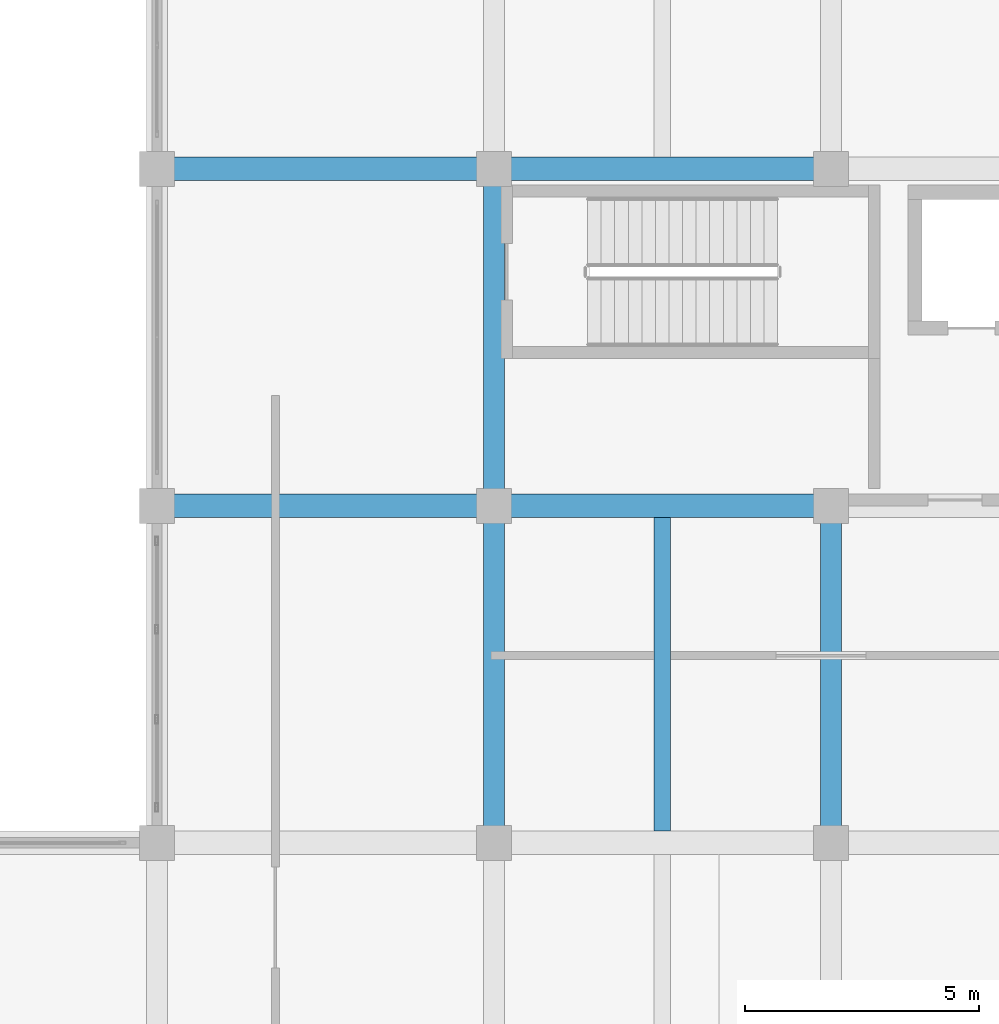
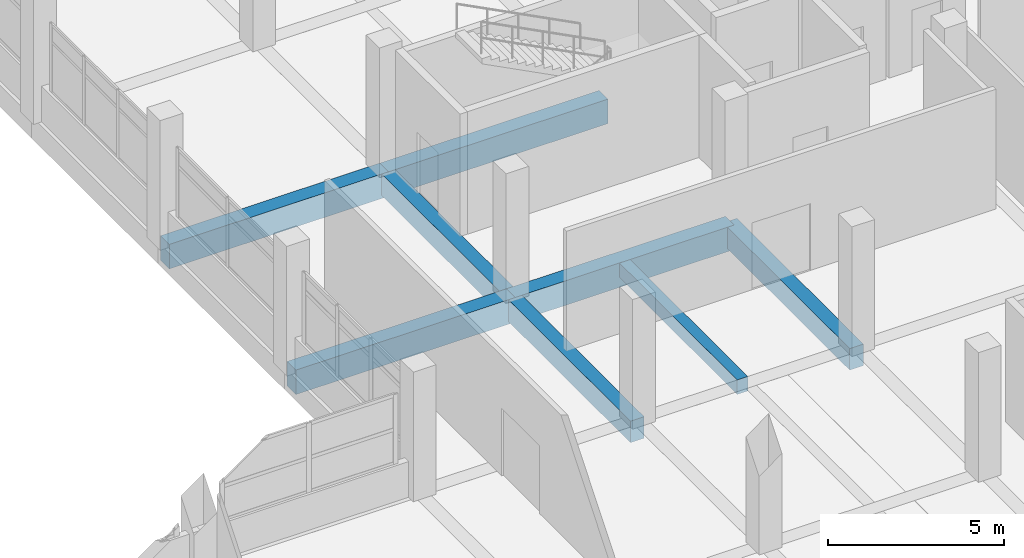
# One storey, part 47 of 141: 8 beams.
"""IFC4 building model written with IfcOpenShell, lengths in metres."""

from ifc_helpers import new_model, si_unit, direction, frame, origin, origin_2d, place, context, subcontext, project, spatial, rectangle, extrude, material, material_profile, profile_set, type_object, element, save


model = new_model("IFC4")

# Units and contexts
model_context = context("Model", 3, precision=1e-05, world=origin(), true_north=direction((0.0, 1.0)))
body_context = subcontext(model_context, "Body", "Model", "MODEL_VIEW")
ifc_project = project(units=[si_unit("LENGTHUNIT", "METRE"), si_unit("AREAUNIT", "SQUARE_METRE"), si_unit("VOLUMEUNIT", "CUBIC_METRE"), si_unit("PLANEANGLEUNIT", "RADIAN"), si_unit("MASSUNIT", "GRAM", prefix="KILO")], contexts=[model_context])

# Site, building, storey
site_placement = place(None, origin())
site = spatial("IfcSite", under=ifc_project, at=site_placement, CompositionType="ELEMENT")
building_placement = place(site_placement, origin())
building = spatial("IfcBuilding", under=site, at=building_placement, Name="Seraya Terrace Polytechnic", CompositionType="ELEMENT")
storey_placement = place(building_placement, frame((0.0, 0.0, 14.39990234375)))
storey = spatial("IfcBuildingStorey", under=building, at=storey_placement, Name="L03", CompositionType="ELEMENT", Elevation=14.39990234375)

# Beams
ifc_material = material(Name="Concrete C40/50", Category="concrete")
ifc_material_profile_1 = material_profile(ifc_material, rectangle(XDim=0.5, YDim=0.85009765625, at=origin_2d()), Name="RC 500x850")
ifc_profile_set_1 = profile_set([ifc_material_profile_1], Name="Concrete C40/50")
beam_type_1 = type_object("IfcBeamType", Name="BM-05", PredefinedType="BEAM", material=ifc_profile_set_1)
beam_1_placement = place(storey_placement, frame((79.199951171875, 36.0, -0.4248046875), z_axis=(1.0, 0.0, 0.0), x_axis=(0.0, 1.0, 0.0)))
element("IfcBeam", 1, at=beam_1_placement, inside=storey, type_object=beam_type_1, Name="Beam BM-05 L03 X (79.2..86.4, 36.0)", PredefinedType="BEAM", context=body_context, shape_type="SweptSolid", body=[
    extrude(rectangle(XDim=0.5, YDim=0.85009765625, at=origin_2d()), origin(), (0.0, 0.0, 1.0), 7.199951171875),
])
beam_2_placement = place(storey_placement, frame((86.39990234375, 36.0, -0.4248046875), z_axis=(1.0, 0.0, 0.0), x_axis=(0.0, 1.0, 0.0)))
element("IfcBeam", 2, at=beam_2_placement, inside=storey, type_object=beam_type_1, Name="Beam BM-05 L03 X (86.4..93.6, 36.0)", PredefinedType="BEAM", context=body_context, shape_type="SweptSolid", body=[
    extrude(rectangle(XDim=0.5, YDim=0.85009765625, at=origin_2d()), origin(), (0.0, 0.0, 1.0), 7.2001953125),
])
beam_3_placement = place(storey_placement, frame((79.199951171875, 43.199951171875, -0.4248046875), z_axis=(1.0, 0.0, 0.0), x_axis=(0.0, 1.0, 0.0)))
element("IfcBeam", 3, at=beam_3_placement, inside=storey, type_object=beam_type_1, Name="Beam BM-05 L03 X (79.2..86.4, 43.2)", PredefinedType="BEAM", context=body_context, shape_type="SweptSolid", body=[
    extrude(rectangle(XDim=0.5, YDim=0.85009765625, at=origin_2d()), origin(), (0.0, 0.0, 1.0), 7.199951171875),
])
beam_4_placement = place(storey_placement, frame((86.39990234375, 43.199951171875, -0.4248046875), z_axis=(1.0, 0.0, 0.0), x_axis=(0.0, 1.0, 0.0)))
element("IfcBeam", 4, at=beam_4_placement, inside=storey, type_object=beam_type_1, Name="Beam BM-05 L03 X (86.4..93.6, 43.2)", PredefinedType="BEAM", context=body_context, shape_type="SweptSolid", body=[
    extrude(rectangle(XDim=0.5, YDim=0.85009765625, at=origin_2d()), origin(), (0.0, 0.0, 1.0), 7.2001953125),
])
ifc_material_profile_2 = material_profile(ifc_material, rectangle(XDim=0.449951171875, YDim=0.75, at=origin_2d()), Name="RC 450x750")
ifc_profile_set_2 = profile_set([ifc_material_profile_2], Name="Concrete C40/50")
beam_type_2 = type_object("IfcBeamType", Name="BM-08", PredefinedType="BEAM", material=ifc_profile_set_2)
for number, where, z_axis, x_axis, name in (
    (5, (86.39990234375, 28.800048828125, -0.375), (0.0, 1.0, 0.0), (-1.0, 0.0, 0.0), "Beam BM-08 L03 Y (86.4, 28.8..36.0)"),
    (6, (86.39990234375, 36.0, -0.375), (0.0, 1.0, 0.0), (-1.0, 0.0, 0.0), "Beam BM-08 L03 Y (86.4, 36.0..43.2)"),
    (7, (93.60009765625, 28.800048828125, -0.375), (0.0, 1.0, 0.0), (-1.0, 0.0, 0.0), "Beam BM-08 L03 Y (93.6, 28.8..36.0)"),
):
    element("IfcBeam", number, at=place(storey_placement, frame(where, z_axis=z_axis, x_axis=x_axis)), inside=storey, type_object=beam_type_2, Name=name, PredefinedType="BEAM", context=body_context, shape_type="SweptSolid", body=[
        extrude(rectangle(XDim=0.449951171875, YDim=0.75, at=origin_2d()), origin(), (0.0, 0.0, 1.0), 7.199951171875),
    ])
ifc_material_profile_3 = material_profile(ifc_material, rectangle(XDim=0.35009765625, YDim=0.5, at=origin_2d()), Name="RC 350x500")
ifc_profile_set_3 = profile_set([ifc_material_profile_3], Name="Concrete C40/50")
beam_type_3 = type_object("IfcBeamType", Name="JS-03", PredefinedType="JOIST", material=ifc_profile_set_3)
beam_5_placement = place(storey_placement, frame((90.0, 29.050048828125, -0.25), z_axis=(0.0, 1.0, 0.0), x_axis=(-1.0, 0.0, 0.0)))
element("IfcBeam", 8, at=beam_5_placement, inside=storey, type_object=beam_type_3, Name="Secondary joist JS-03 L03", PredefinedType="JOIST", context=body_context, shape_type="SweptSolid", body=[
    extrude(rectangle(XDim=0.35009765625, YDim=0.5, at=origin_2d()), origin(), (0.0, 0.0, 1.0), 6.699951171875),
])

save(model, "model.ifc")
